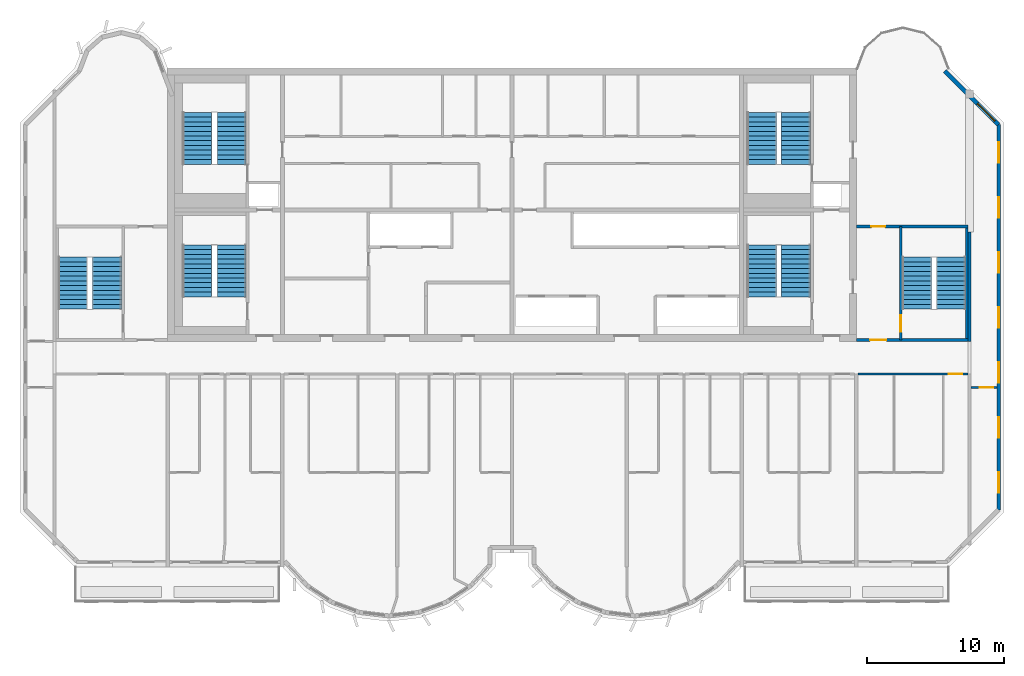
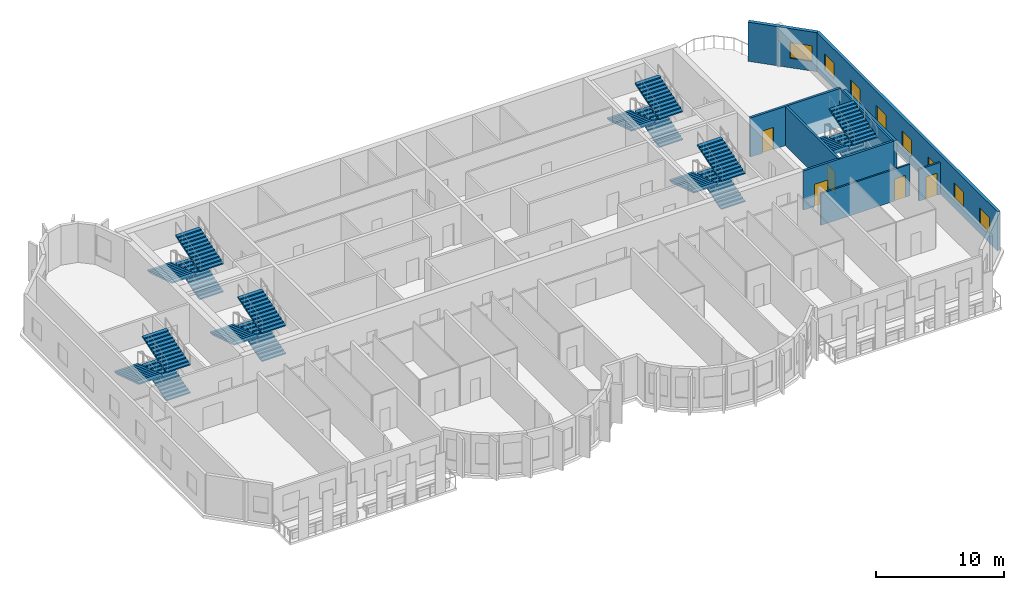
# One storey, part 8 of 11: 18 stair flights, 9 walls, 8 windows, 5 doors, 13 openings, 6 elements without a shape of their own.
"""IFC4 building model written with IfcOpenShell, lengths in metres."""

import ifcopenshell
import ifcopenshell.guid

model = None  # the IFC model being written
_history = None  # IfcOwnerHistory: only IFC2X3 demands one
_inside = {}  # id of a spatial element -> (the spatial element, [elements in it])
_under = {}  # id of a project, library or spatial element -> (it, [spatial elements below it])
_declared = {}  # id of a project -> (the project, [libraries it declares])
_typed = {}  # id of a type object -> (the type object, [elements of that type])
_made_of = {}  # id of a material, layer set ... -> (it, [elements and type objects made of it])


def new_model(schema):
    """Start an empty IFC model of exactly this schema.

    Asked for "IFC4X3", IfcOpenShell would pick the latest addendum, in which some entities
    have other attributes; the version numbers below select the first issue.
    IFC2X3 requires an IfcOwnerHistory on every rooted entity: one is made here for all.
    """
    global model, _history
    if schema == "IFC4X3":
        model = ifcopenshell.file(schema_version=(4, 3, 0, 0))
    else:
        model = ifcopenshell.file(schema=schema)
    _inside.clear()
    _under.clear()
    _declared.clear()
    _typed.clear()
    _made_of.clear()
    _history = None
    if model.schema == "IFC2X3":
        org = make("IfcOrganization", Name="unknown")
        user = make(
            "IfcPersonAndOrganization",
            ThePerson=make("IfcPerson", FamilyName="unknown"),
            TheOrganization=org,
        )
        app = make(
            "IfcApplication",
            ApplicationDeveloper=org,
            Version="unknown",
            ApplicationFullName="unknown",
            ApplicationIdentifier="unknown",
        )
        _history = make(
            "IfcOwnerHistory",
            OwningUser=user,
            OwningApplication=app,
            ChangeAction="ADDED",
            CreationDate=0,
        )
    return model


def make(cls, **values):
    """One entity of the class cls with the attributes given. An attribute that is None is left unset."""
    return model.create_entity(
        cls, **{name: value for name, value in values.items() if value is not None}
    )


def rooted(cls, **values):
    """An entity with a GlobalId (a new one), such as an element, a storey or a relation."""
    return make(cls, GlobalId=ifcopenshell.guid.new(), OwnerHistory=_history, **values)


def si_unit(unit_type, name, prefix=None):
    """IfcSIUnit, for example si_unit("LENGTHUNIT", "METRE", prefix="MILLI")."""
    return make("IfcSIUnit", UnitType=unit_type, Prefix=prefix, Name=name)


def assignment(units):
    """IfcUnitAssignment: the units of a project."""
    return None if units is None else make("IfcUnitAssignment", Units=units)


def point(xyz):
    """IfcCartesianPoint."""
    return None if xyz is None else make("IfcCartesianPoint", Coordinates=xyz)


def direction(xyz):
    """IfcDirection."""
    return None if xyz is None else make("IfcDirection", DirectionRatios=xyz)


def frame(location, z_axis=None, x_axis=None):
    """IfcAxis2Placement3D, a coordinate frame: its origin and axes. An axis left out is left unset."""
    return make(
        "IfcAxis2Placement3D",
        Location=point(location),
        Axis=direction(z_axis),
        RefDirection=direction(x_axis),
    )


def frame_2d(location, x_axis=None):
    """IfcAxis2Placement2D, a coordinate frame in the plane: its origin and x axis."""
    return make(
        "IfcAxis2Placement2D", Location=point(location), RefDirection=direction(x_axis)
    )


def origin():
    """The frame at (0, 0, 0) with its axes left unset."""
    return frame((0.0, 0.0, 0.0))


def place(relative_to, where):
    """IfcLocalPlacement: puts the frame where relative to a parent placement (None: the world)."""
    return make(
        "IfcLocalPlacement", PlacementRelTo=relative_to, RelativePlacement=where
    )


def context(
    kind, dimensions, precision=None, world=None, true_north=None, identifier=None
):
    """IfcGeometricRepresentationContext, for example the 3D "Model" context."""
    return make(
        "IfcGeometricRepresentationContext",
        ContextIdentifier=identifier,
        ContextType=kind,
        CoordinateSpaceDimension=dimensions,
        Precision=precision,
        WorldCoordinateSystem=world,
        TrueNorth=true_north,
    )


def subcontext(parent, identifier, kind, view, scale=None):
    """IfcGeometricRepresentationSubContext, for example "Body" below "Model"."""
    return make(
        "IfcGeometricRepresentationSubContext",
        ContextIdentifier=identifier,
        ContextType=kind,
        ParentContext=parent,
        TargetScale=scale,
        TargetView=view,
    )


def project(units=None, contexts=None):
    """IfcProject with its units and contexts."""
    return rooted(
        "IfcProject",
        Name="project",
        RepresentationContexts=contexts,
        UnitsInContext=assignment(units),
    )


def spatial(cls, under=None, at=None, **own):
    """A site, building, storey or space (cls), placed at a placement, below another one or the project."""
    s = rooted(cls, ObjectPlacement=at, **own)
    if under is not None:
        _under.setdefault(under.id(), (under, []))[1].append(s)
    return s


def polyline(points):
    """IfcPolyline through the points."""
    return make("IfcPolyline", Points=[point(p) for p in points])


def profile(cls, at=None, kind="AREA", **sizes):
    """A parametric profile (cls). Its sizes go by their IFC names, for example OverallWidth=200.0."""
    return make(cls, ProfileType=kind, Position=at, **sizes)


def rectangle(**sizes):
    """IfcRectangleProfileDef."""
    return profile("IfcRectangleProfileDef", **sizes)


def outline(outer, holes=None, kind="AREA"):
    """IfcArbitraryClosedProfileDef: a profile drawn as a closed curve; with holes, ...WithVoids."""
    if holes is None:
        return make("IfcArbitraryClosedProfileDef", ProfileType=kind, OuterCurve=outer)
    return make(
        "IfcArbitraryProfileDefWithVoids",
        ProfileType=kind,
        OuterCurve=outer,
        InnerCurves=holes,
    )


def extrude(swept, where, along, depth):
    """IfcExtrudedAreaSolid: the profile swept, set in the frame where, extruded along a direction by depth."""
    return make(
        "IfcExtrudedAreaSolid",
        SweptArea=swept,
        Position=where,
        ExtrudedDirection=direction(along),
        Depth=depth,
    )


def shape(context_of_items, identifier, shape_type, items):
    """IfcShapeRepresentation: the items that make up one representation, for example the "Body"."""
    return make(
        "IfcShapeRepresentation",
        ContextOfItems=context_of_items,
        RepresentationIdentifier=identifier,
        RepresentationType=shape_type,
        Items=items,
    )


def source(mapping_origin, context_of_items, identifier, shape_type, items):
    """IfcRepresentationMap: a shape defined once, which mapped items show again and again."""
    return make(
        "IfcRepresentationMap",
        MappingOrigin=mapping_origin,
        MappedRepresentation=shape(context_of_items, identifier, shape_type, items),
    )


def transform(
    local_origin,
    x_axis=None,
    y_axis=None,
    z_axis=None,
    scale=None,
    scale2=None,
    scale3=None,
    uniform=True,
):
    """IfcCartesianTransformationOperator3D, or its non-uniform kind. x_axis, y_axis, z_axis: its Axis1, 2, 3."""
    if uniform:
        return make(
            "IfcCartesianTransformationOperator3D",
            Axis1=direction(x_axis),
            Axis2=direction(y_axis),
            LocalOrigin=point(local_origin),
            Scale=scale,
            Axis3=direction(z_axis),
        )
    return make(
        "IfcCartesianTransformationOperator3DnonUniform",
        Axis1=direction(x_axis),
        Axis2=direction(y_axis),
        LocalOrigin=point(local_origin),
        Scale=scale,
        Axis3=direction(z_axis),
        Scale2=scale2,
        Scale3=scale3,
    )


def mapped(mapping_source, mapping_target):
    """IfcMappedItem: shows the shape of a source again, moved by a transform."""
    return make(
        "IfcMappedItem", MappingSource=mapping_source, MappingTarget=mapping_target
    )


def material(Name=None, Category=None):
    """IfcMaterial."""
    return make("IfcMaterial", Name=Name, Category=Category)


def layer(
    of_material, thickness, ventilated=None, Name=None, Category=None, Priority=None
):
    """IfcMaterialLayer: one layer of a wall or slab, of a material (None: an air gap)."""
    return make(
        "IfcMaterialLayer",
        Material=of_material,
        LayerThickness=thickness,
        IsVentilated=ventilated,
        Name=Name,
        Category=Category,
        Priority=Priority,
    )


def layer_set(layers, Name=None):
    """IfcMaterialLayerSet."""
    return make("IfcMaterialLayerSet", MaterialLayers=layers, LayerSetName=Name)


def made_of(thing, what):
    """Note that an element or type object is made of a material, layer set ...; save() writes the relation."""
    if what is not None:
        _made_of.setdefault(what.id(), (what, []))[1].append(thing)
    return thing


def type_object(cls, material=None, **own):
    """A type object (cls), such as IfcWallType, which elements share."""
    return made_of(rooted(cls, **own), material)


def element(
    cls,
    number,
    at=None,
    inside=None,
    cuts=None,
    type_object=None,
    material=None,
    context=None,
    identifier="Body",
    shape_type=None,
    held_by="IfcProductDefinitionShape",
    body=None,
    shapes=None,
    **own,
):
    """One element of the class cls, such as IfcWall. Its Tag is "e" and its number.

    at: its placement. inside: the storey or other place that contains it. cuts: it is an
    opening in that element (IfcRelVoidsElement). A single representation is given by context,
    identifier, shape_type and body (its items); several are given by shapes. held_by: the class
    of the entity that holds the representations. save() writes the other relations.
    """
    e = rooted(cls, Tag="e%d" % number, ObjectPlacement=at, **own)
    if body is not None:
        shapes = [shape(context, identifier, shape_type, body)]
    if shapes is not None:
        e.Representation = make(held_by, Representations=shapes)
    if inside is not None:
        _inside.setdefault(inside.id(), (inside, []))[1].append(e)
    if cuts is not None:
        rooted(
            "IfcRelVoidsElement", RelatingBuildingElement=cuts, RelatedOpeningElement=e
        )
    if type_object is not None:
        _typed.setdefault(type_object.id(), (type_object, []))[1].append(e)
    return made_of(e, material)


def fill(opening, filler):
    """IfcRelFillsElement: the door or window that sits in an opening."""
    return rooted(
        "IfcRelFillsElement",
        RelatingOpeningElement=opening,
        RelatedBuildingElement=filler,
    )


def aggregate(whole, parts):
    """IfcRelAggregates: a whole, such as a stair, and the parts it consists of."""
    return rooted("IfcRelAggregates", RelatingObject=whole, RelatedObjects=parts)


def save(model, path):
    """Write the relations noted so far, then the file.

    IfcRelAggregates (storeys below a building ...), IfcRelContainedInSpatialStructure (elements
    in a storey), IfcRelDefinesByType, IfcRelAssociatesMaterial and IfcRelDeclares: one each for
    every whole, place, type object, material and project.
    """
    for whole, parts in _under.values():
        aggregate(whole, parts)
    for where, things in _inside.values():
        rooted(
            "IfcRelContainedInSpatialStructure",
            RelatedElements=things,
            RelatingStructure=where,
        )
    for kind, things in _typed.values():
        rooted("IfcRelDefinesByType", RelatedObjects=things, RelatingType=kind)
    for what, things in _made_of.values():
        rooted("IfcRelAssociatesMaterial", RelatedObjects=things, RelatingMaterial=what)
    for by, libraries in _declared.values():
        rooted("IfcRelDeclares", RelatingContext=by, RelatedDefinitions=libraries)
    model.write(path)


model = new_model("IFC4")

# Units and contexts
model_context = context("Model", 3, precision=1e-05, world=origin(), true_north=direction((0.0, 1.0)))
body_context = subcontext(model_context, "Body", "Model", "MODEL_VIEW")
ifc_project = project(units=[si_unit("LENGTHUNIT", "METRE"), si_unit("AREAUNIT", "SQUARE_METRE"), si_unit("VOLUMEUNIT", "CUBIC_METRE"), si_unit("PLANEANGLEUNIT", "RADIAN"), si_unit("MASSUNIT", "GRAM", prefix="KILO")], contexts=[model_context])

# Site, building, storey
site_placement = place(None, origin())
site = spatial("IfcSite", under=ifc_project, at=site_placement, CompositionType="ELEMENT")
building_placement = place(site_placement, origin())
building = spatial("IfcBuilding", under=site, at=building_placement, Name="Vanashikhar Sky Hotel", CompositionType="ELEMENT")
storey_placement = place(building_placement, frame((0.0, 0.0, 305.699951171875)))
storey = spatial("IfcBuildingStorey", under=building, at=storey_placement, Name="L73", CompositionType="ELEMENT", Elevation=305.699951171875)

# Wall
ifc_material_1 = material(Name="Concrete M50", Category="concrete")
ifc_layer_1 = layer(ifc_material_1, 0.25)
ifc_layer_set_1 = layer_set([ifc_layer_1], Name="RC shear wall 250 Concrete M50")
wall_type_1 = type_object("IfcWallType", Name="RC shear wall 250 Concrete M50", PredefinedType="SHEAR", material=ifc_layer_set_1)
shared_shape_1 = source(origin(), body_context, "Body", "SweptSolid", [
    extrude(rectangle(XDim=8.0, YDim=0.25, at=frame_2d((4.0, 0.0))), origin(), (0.0, 0.0, 1.0), 3.719970703125),
])
wall_1_placement = place(storey_placement, frame((83.875, 22.0, 0.0), z_axis=(0.0, 0.0, 1.0), x_axis=(0.0, 1.0, 0.0)))
element("IfcWall", 1, at=wall_1_placement, inside=storey, type_object=wall_type_1, Name="CW-L73-XW11-2", PredefinedType="SHEAR", context=body_context, shape_type="MappedRepresentation", body=[
    mapped(shared_shape_1, transform((0.0, 0.0, 0.0), scale=1.0)),
])

# Wall, opening, window
ifc_layer_2 = layer(ifc_material_1, 0.300048828125)
ifc_layer_set_2 = layer_set([ifc_layer_2], Name="Lobe wall 300")
wall_type_2 = type_object("IfcWallType", Name="Lobe wall 300", PredefinedType="SOLIDWALL", material=ifc_layer_set_2)
shared_shape_2 = source(origin(), body_context, "Body", "SweptSolid", [
    extrude(rectangle(XDim=5.576416015625, YDim=0.300048828125, at=frame_2d((2.7880859375, 0.0))), origin(), (0.0, 0.0, 1.0), 3.719970703125),
])
wall_2_placement = place(storey_placement, frame((86.0, 37.834228515625, 0.0), z_axis=(0.0, 0.0, 1.0), x_axis=(-0.707106781187, 0.707106781187, 0.0)))
wall_2 = element("IfcWall", 2, at=wall_2_placement, inside=storey, type_object=wall_type_2, Name="Corner wall", PredefinedType="SOLIDWALL", context=body_context, shape_type="MappedRepresentation", body=[
    mapped(shared_shape_2, transform((0.0, 0.0, 0.0), scale=1.0)),
])
shared_shape_3 = source(origin(), body_context, "Body", "SweptSolid", [
    extrude(rectangle(XDim=1.800048828125, YDim=1.5, at=frame_2d((0.89990234375, 0.75))), frame((0.0, 0.16015625, 0.0), z_axis=(0.0, -1.0, 0.0), x_axis=(1.0, 0.0, 0.0)), (0.0, 0.0, 1.0), 0.320068359375),
])
opening_1_placement = place(wall_2_placement, frame((0.39013671875, 0.0, 0.89990234375)))
opening_1 = element("IfcOpeningElement", 3, at=opening_1_placement, cuts=wall_2, Name="Opening WN-4", PredefinedType="OPENING", context=body_context, shape_type="MappedRepresentation", body=[
    mapped(shared_shape_3, transform((0.0, 0.0, 0.0), scale=1.0)),
])
ifc_material_2 = material(Name="Glass", Category="glass")
window_type_1 = type_object("IfcWindowType", Name="Corner window 1800 x 1500", PartitioningType="SINGLE_PANEL", PredefinedType="WINDOW", material=ifc_material_2)
shared_shape_4 = source(origin(), body_context, "Body", "SweptSolid", [
    extrude(rectangle(XDim=1.800048828125, YDim=1.5, at=frame_2d((0.89990234375, 0.75))), frame((0.0, 0.030029296875, 0.0), z_axis=(0.0, -1.0, 0.0), x_axis=(1.0, 0.0, 0.0)), (0.0, 0.0, 1.0), 0.06005859375),
])
window_1_placement = place(opening_1_placement, origin())
window_1 = element("IfcWindow", 4, at=window_1_placement, inside=storey, type_object=window_type_1, Name="Window WN-4", OverallHeight=1.5, OverallWidth=1.800048828125, PartitioningType="SINGLE_PANEL", PredefinedType="WINDOW", context=body_context, shape_type="MappedRepresentation", body=[
    mapped(shared_shape_4, transform((0.0, 0.0, 0.0), scale=1.0)),
])
fill(opening_1, window_1)

# Wall, openings, windows
ifc_layer_3 = layer(ifc_material_1, 0.25)
ifc_layer_set_3 = layer_set([ifc_layer_3], Name="Rear and end board-marked wall 250")
wall_type_3 = type_object("IfcWallType", Name="Rear and end board-marked wall 250", PredefinedType="SOLIDWALL", material=ifc_layer_set_3)
shared_shape_5 = source(origin(), body_context, "Body", "SweptSolid", [
    extrude(rectangle(XDim=28.189453125, YDim=0.25, at=frame_2d((14.0947265625, 0.0))), origin(), (0.0, 0.0, 1.0), 3.719970703125),
])
wall_3_placement = place(storey_placement, frame((86.02490234375, 9.6552734375, 0.0), z_axis=(0.0, 0.0, 1.0), x_axis=(0.0, 1.0, 0.0)))
wall_3 = element("IfcWall", 5, at=wall_3_placement, inside=storey, type_object=wall_type_3, Name="End board-marked wall", PredefinedType="SOLIDWALL", context=body_context, shape_type="MappedRepresentation", body=[
    mapped(shared_shape_5, transform((0.0, 0.0, 0.0), scale=1.0)),
])
shared_shape_6 = source(origin(), body_context, "Body", "SweptSolid", [
    extrude(rectangle(XDim=1.5, YDim=1.5, at=frame_2d((0.75, 0.75))), frame((0.0, 0.135009765625, 0.0), z_axis=(0.0, -1.0, 0.0), x_axis=(1.0, 0.0, 0.0)), (0.0, 0.0, 1.0), 0.27001953125),
])
opening_2_placement = place(wall_3_placement, frame((1.263427734375, 0.0, 0.89990234375)))
opening_2 = element("IfcOpeningElement", 6, at=opening_2_placement, cuts=wall_3, Name="Opening WN-1", PredefinedType="OPENING", context=body_context, shape_type="MappedRepresentation", body=[
    mapped(shared_shape_6, transform((0.0, 0.0, 0.0), scale=1.0)),
])
opening_3_placement = place(wall_3_placement, frame((5.29052734375, 0.0, 0.89990234375)))
opening_3 = element("IfcOpeningElement", 7, at=opening_3_placement, cuts=wall_3, Name="Opening WN-1", PredefinedType="OPENING", context=body_context, shape_type="MappedRepresentation", body=[
    mapped(shared_shape_6, transform((0.0, 0.0, 0.0), scale=1.0)),
])
opening_4_placement = place(wall_3_placement, frame((9.317626953125, 0.0, 0.89990234375)))
opening_4 = element("IfcOpeningElement", 8, at=opening_4_placement, cuts=wall_3, Name="Opening WN-1", PredefinedType="OPENING", context=body_context, shape_type="MappedRepresentation", body=[
    mapped(shared_shape_6, transform((0.0, 0.0, 0.0), scale=1.0)),
])
opening_5_placement = place(wall_3_placement, frame((13.3447265625, 0.0, 0.89990234375)))
opening_5 = element("IfcOpeningElement", 9, at=opening_5_placement, cuts=wall_3, Name="Opening WN-1", PredefinedType="OPENING", context=body_context, shape_type="MappedRepresentation", body=[
    mapped(shared_shape_6, transform((0.0, 0.0, 0.0), scale=1.0)),
])
opening_6_placement = place(wall_3_placement, frame((17.371826171875, 0.0, 0.89990234375)))
opening_6 = element("IfcOpeningElement", 10, at=opening_6_placement, cuts=wall_3, Name="Opening WN-1", PredefinedType="OPENING", context=body_context, shape_type="MappedRepresentation", body=[
    mapped(shared_shape_6, transform((0.0, 0.0, 0.0), scale=1.0)),
])
opening_7_placement = place(wall_3_placement, frame((21.398681640625, 0.0, 0.89990234375)))
opening_7 = element("IfcOpeningElement", 11, at=opening_7_placement, cuts=wall_3, Name="Opening WN-1", PredefinedType="OPENING", context=body_context, shape_type="MappedRepresentation", body=[
    mapped(shared_shape_6, transform((0.0, 0.0, 0.0), scale=1.0)),
])
opening_8_placement = place(wall_3_placement, frame((25.42578125, 0.0, 0.89990234375)))
opening_8 = element("IfcOpeningElement", 12, at=opening_8_placement, cuts=wall_3, Name="Opening WN-1", PredefinedType="OPENING", context=body_context, shape_type="MappedRepresentation", body=[
    mapped(shared_shape_6, transform((0.0, 0.0, 0.0), scale=1.0)),
])
window_type_2 = type_object("IfcWindowType", Name="Window 1500 x 1500", PartitioningType="SINGLE_PANEL", PredefinedType="WINDOW", material=ifc_material_2)
shared_shape_7 = source(origin(), body_context, "Body", "SweptSolid", [
    extrude(rectangle(XDim=1.5, YDim=1.5, at=frame_2d((0.75, 0.75))), frame((0.0, 0.030029296875, 0.0), z_axis=(0.0, -1.0, 0.0), x_axis=(1.0, 0.0, 0.0)), (0.0, 0.0, 1.0), 0.06005859375),
])
window_2_placement = place(opening_2_placement, origin())
window_2 = element("IfcWindow", 13, at=window_2_placement, inside=storey, type_object=window_type_2, Name="Window WN-1", OverallHeight=1.5, OverallWidth=1.5, PartitioningType="SINGLE_PANEL", PredefinedType="WINDOW", context=body_context, shape_type="MappedRepresentation", body=[
    mapped(shared_shape_7, transform((0.0, 0.0, 0.0), scale=1.0)),
])
fill(opening_2, window_2)
window_3_placement = place(opening_3_placement, origin())
window_3 = element("IfcWindow", 14, at=window_3_placement, inside=storey, type_object=window_type_2, Name="Window WN-1", OverallHeight=1.5, OverallWidth=1.5, PartitioningType="SINGLE_PANEL", PredefinedType="WINDOW", context=body_context, shape_type="MappedRepresentation", body=[
    mapped(shared_shape_7, transform((0.0, 0.0, 0.0), scale=1.0)),
])
fill(opening_3, window_3)
window_4_placement = place(opening_4_placement, origin())
window_4 = element("IfcWindow", 15, at=window_4_placement, inside=storey, type_object=window_type_2, Name="Window WN-1", OverallHeight=1.5, OverallWidth=1.5, PartitioningType="SINGLE_PANEL", PredefinedType="WINDOW", context=body_context, shape_type="MappedRepresentation", body=[
    mapped(shared_shape_7, transform((0.0, 0.0, 0.0), scale=1.0)),
])
fill(opening_4, window_4)
window_5_placement = place(opening_5_placement, origin())
window_5 = element("IfcWindow", 16, at=window_5_placement, inside=storey, type_object=window_type_2, Name="Window WN-1", OverallHeight=1.5, OverallWidth=1.5, PartitioningType="SINGLE_PANEL", PredefinedType="WINDOW", context=body_context, shape_type="MappedRepresentation", body=[
    mapped(shared_shape_7, transform((0.0, 0.0, 0.0), scale=1.0)),
])
fill(opening_5, window_5)
window_6_placement = place(opening_6_placement, origin())
window_6 = element("IfcWindow", 17, at=window_6_placement, inside=storey, type_object=window_type_2, Name="Window WN-1", OverallHeight=1.5, OverallWidth=1.5, PartitioningType="SINGLE_PANEL", PredefinedType="WINDOW", context=body_context, shape_type="MappedRepresentation", body=[
    mapped(shared_shape_7, transform((0.0, 0.0, 0.0), scale=1.0)),
])
fill(opening_6, window_6)
window_7_placement = place(opening_7_placement, origin())
window_7 = element("IfcWindow", 18, at=window_7_placement, inside=storey, type_object=window_type_2, Name="Window WN-1", OverallHeight=1.5, OverallWidth=1.5, PartitioningType="SINGLE_PANEL", PredefinedType="WINDOW", context=body_context, shape_type="MappedRepresentation", body=[
    mapped(shared_shape_7, transform((0.0, 0.0, 0.0), scale=1.0)),
])
fill(opening_7, window_7)
window_8_placement = place(opening_8_placement, origin())
window_8 = element("IfcWindow", 19, at=window_8_placement, inside=storey, type_object=window_type_2, Name="Window WN-1", OverallHeight=1.5, OverallWidth=1.5, PartitioningType="SINGLE_PANEL", PredefinedType="WINDOW", context=body_context, shape_type="MappedRepresentation", body=[
    mapped(shared_shape_7, transform((0.0, 0.0, 0.0), scale=1.0)),
])
fill(opening_8, window_8)

# Wall, opening, door
ifc_layer_4 = layer(ifc_material_1, 0.199951171875)
ifc_layer_set_4 = layer_set([ifc_layer_4], Name="Stair wall 200")
wall_type_4 = type_object("IfcWallType", Name="Stair wall 200", PredefinedType="SOLIDWALL", material=ifc_layer_set_4)
shared_shape_8 = source(origin(), body_context, "Body", "SweptSolid", [
    extrude(rectangle(XDim=8.2998046875, YDim=0.199951171875, at=frame_2d((4.14990234375, 0.0))), origin(), (0.0, 0.0, 1.0), 3.719970703125),
])
wall_4_placement = place(storey_placement, frame((78.85009765625, 22.10009765625, 0.0), z_axis=(0.0, 0.0, 1.0), x_axis=(0.0, 1.0, 0.0)))
wall_4 = element("IfcWall", 20, at=wall_4_placement, inside=storey, type_object=wall_type_4, Name="Stair wall 200", PredefinedType="SOLIDWALL", context=body_context, shape_type="MappedRepresentation", body=[
    mapped(shared_shape_8, transform((0.0, 0.0, 0.0), scale=1.0)),
])
shared_shape_9 = source(origin(), body_context, "Body", "SweptSolid", [
    extrude(rectangle(XDim=1.199951171875, YDim=2.10009765625, at=frame_2d((0.60009765625, 1.050048828125))), frame((0.0, 0.10986328125, 0.0), z_axis=(0.0, -1.0, 0.0), x_axis=(1.0, 0.0, 0.0)), (0.0, 0.0, 1.0), 0.219970703125),
])
opening_9_placement = place(wall_4_placement, frame((0.60009765625, 0.0, 0.0)))
opening_9 = element("IfcOpeningElement", 21, at=opening_9_placement, cuts=wall_4, Name="Opening DC-1", PredefinedType="OPENING", context=body_context, shape_type="MappedRepresentation", body=[
    mapped(shared_shape_9, transform((0.0, 0.0, 0.0), scale=1.0)),
])
ifc_material_3 = material(Name="Steel", Category="steel")
door_type_1 = type_object("IfcDoorType", Name="Stair door 1200 FD120", OperationType="NOTDEFINED", PredefinedType="DOOR", material=ifc_material_3)
shared_shape_10 = source(origin(), body_context, "Body", "SweptSolid", [
    extrude(rectangle(XDim=1.199951171875, YDim=2.10009765625, at=frame_2d((0.60009765625, 1.050048828125))), frame((0.0, 0.02490234375, 0.0), z_axis=(0.0, -1.0, 0.0), x_axis=(1.0, 0.0, 0.0)), (0.0, 0.0, 1.0), 0.050048828125),
])
door_1_placement = place(opening_9_placement, origin())
door_1 = element("IfcDoor", 22, at=door_1_placement, inside=storey, type_object=door_type_1, Name="Stair door 1200 FD120", OperationType="SINGLE_SWING_LEFT", OverallHeight=2.10009765625, OverallWidth=1.199951171875, PredefinedType="DOOR", context=body_context, shape_type="MappedRepresentation", body=[
    mapped(shared_shape_10, transform((0.0, 0.0, 0.0), scale=1.0)),
])
fill(opening_9, door_1)

shared_shape_11 = source(origin(), body_context, "Body", "SweptSolid", [
    extrude(rectangle(XDim=8.14990234375, YDim=0.199951171875, at=frame_2d((4.074951171875, 0.0))), origin(), (0.0, 0.0, 1.0), 3.719970703125),
])
wall_5_placement = place(storey_placement, frame((83.75, 22.10009765625, 0.0), z_axis=(0.0, 0.0, 1.0), x_axis=(-1.0, 0.0, 0.0)))
wall_5 = element("IfcWall", 23, at=wall_5_placement, inside=storey, type_object=wall_type_4, Name="Stair wall 200", PredefinedType="SOLIDWALL", context=body_context, shape_type="MappedRepresentation", body=[
    mapped(shared_shape_11, transform((0.0, 0.0, 0.0), scale=1.0)),
])
opening_10_placement = place(wall_5_placement, frame((5.949951171875, 0.0, 0.0)))
opening_10 = element("IfcOpeningElement", 24, at=opening_10_placement, cuts=wall_5, Name="Opening DC-2", PredefinedType="OPENING", context=body_context, shape_type="MappedRepresentation", body=[
    mapped(shared_shape_9, transform((0.0, 0.0, 0.0), scale=1.0)),
])
door_type_2 = type_object("IfcDoorType", Name="Firefighting lobby door 1200 FD120", OperationType="NOTDEFINED", PredefinedType="DOOR", material=ifc_material_3)
door_2_placement = place(opening_10_placement, origin())
door_2 = element("IfcDoor", 25, at=door_2_placement, inside=storey, type_object=door_type_2, Name="Firefighting lobby door 1200 FD120", OperationType="SINGLE_SWING_RIGHT", OverallHeight=2.10009765625, OverallWidth=1.199951171875, PredefinedType="DOOR", context=body_context, shape_type="MappedRepresentation", body=[
    mapped(shared_shape_10, transform((0.0, 0.0, 0.0), scale=1.0)),
])
fill(opening_10, door_2)

wall_6_placement = place(storey_placement, frame((83.75, 30.39990234375, 0.0), z_axis=(0.0, 0.0, 1.0), x_axis=(-1.0, 0.0, 0.0)))
wall_6 = element("IfcWall", 26, at=wall_6_placement, inside=storey, type_object=wall_type_4, Name="Stair wall 200", PredefinedType="SOLIDWALL", context=body_context, shape_type="MappedRepresentation", body=[
    mapped(shared_shape_11, transform((0.0, 0.0, 0.0), scale=1.0)),
])
shared_shape_12 = source(origin(), body_context, "Body", "SweptSolid", [
    extrude(rectangle(XDim=1.0, YDim=2.10009765625, at=frame_2d((0.5, 1.050048828125))), frame((0.0, 0.10986328125, 0.0), z_axis=(0.0, -1.0, 0.0), x_axis=(1.0, 0.0, 0.0)), (0.0, 0.0, 1.0), 0.219970703125),
])
opening_11_placement = place(wall_6_placement, frame((6.050048828125, 0.0, 0.0)))
opening_11 = element("IfcOpeningElement", 27, at=opening_11_placement, cuts=wall_6, Name="Opening DC-6", PredefinedType="OPENING", context=body_context, shape_type="MappedRepresentation", body=[
    mapped(shared_shape_12, transform((0.0, 0.0, 0.0), scale=1.0)),
])
door_type_3 = type_object("IfcDoorType", Name="Pocket door 1000 FD60", OperationType="NOTDEFINED", PredefinedType="DOOR", material=ifc_material_3)
shared_shape_13 = source(origin(), body_context, "Body", "SweptSolid", [
    extrude(rectangle(XDim=1.0, YDim=2.10009765625, at=frame_2d((0.5, 1.050048828125))), frame((0.0, 0.02490234375, 0.0), z_axis=(0.0, -1.0, 0.0), x_axis=(1.0, 0.0, 0.0)), (0.0, 0.0, 1.0), 0.050048828125),
])
door_3_placement = place(opening_11_placement, origin())
door_3 = element("IfcDoor", 28, at=door_3_placement, inside=storey, type_object=door_type_3, Name="Pocket door 1000 FD60", OperationType="SINGLE_SWING_RIGHT", OverallHeight=2.10009765625, OverallWidth=1.0, PredefinedType="DOOR", context=body_context, shape_type="MappedRepresentation", body=[
    mapped(shared_shape_13, transform((0.0, 0.0, 0.0), scale=1.0)),
])
fill(opening_11, door_3)

# Wall
ifc_layer_5 = layer(ifc_material_1, 0.14990234375)
ifc_layer_set_5 = layer_set([ifc_layer_5], Name="Stair infill wall 150")
wall_type_5 = type_object("IfcWallType", Name="Stair infill wall 150", PredefinedType="SOLIDWALL", material=ifc_layer_set_5)
shared_shape_14 = source(origin(), body_context, "Body", "SweptSolid", [
    extrude(rectangle(XDim=8.10009765625, YDim=0.14990234375, at=frame_2d((4.050048828125, 0.0))), origin(), (0.0, 0.0, 1.0), 3.719970703125),
])
wall_7_placement = place(storey_placement, frame((83.675048828125, 22.199951171875, 0.0), z_axis=(0.0, 0.0, 1.0), x_axis=(0.0, 1.0, 0.0)))
element("IfcWall", 29, at=wall_7_placement, inside=storey, type_object=wall_type_5, Name="Stair infill wall 150", PredefinedType="SOLIDWALL", context=body_context, shape_type="MappedRepresentation", body=[
    mapped(shared_shape_14, transform((0.0, 0.0, 0.0), scale=1.0)),
])

# Wall, opening, door
ifc_material_4 = material(Name="Gypsum plasterboard partition")
ifc_layer_6 = layer(ifc_material_4, 0.14990234375)
ifc_layer_set_6 = layer_set([ifc_layer_6], Name="Corridor and demising partition 150")
wall_type_6 = type_object("IfcWallType", Name="Corridor and demising partition 150", PredefinedType="PARTITIONING", material=ifc_layer_set_6)
shared_shape_15 = source(origin(), body_context, "Body", "SweptSolid", [
    extrude(rectangle(XDim=8.02490234375, YDim=0.14990234375, at=frame_2d((4.012451171875, 0.0))), origin(), (0.0, 0.0, 1.0), 3.02001953125),
])
wall_8_placement = place(storey_placement, frame((75.72509765625, 19.60009765625, 0.0), z_axis=(0.0, 0.0, 1.0), x_axis=(1.0, 0.0, 0.0)))
wall_8 = element("IfcWall", 30, at=wall_8_placement, inside=storey, type_object=wall_type_6, Name="W-L73-PW040", PredefinedType="PARTITIONING", context=body_context, shape_type="MappedRepresentation", body=[
    mapped(shared_shape_15, transform((0.0, 0.0, 0.0), scale=1.0)),
])
shared_shape_16 = source(origin(), body_context, "Body", "SweptSolid", [
    extrude(rectangle(XDim=1.0, YDim=2.10009765625, at=frame_2d((0.5, 1.050048828125))), frame((0.0, 0.0849609375, 0.0), z_axis=(0.0, -1.0, 0.0), x_axis=(1.0, 0.0, 0.0)), (0.0, 0.0, 1.0), 0.169921875),
])
opening_12_placement = place(wall_8_placement, frame((6.625, 0.0, 0.0)))
opening_12 = element("IfcOpeningElement", 31, at=opening_12_placement, cuts=wall_8, Name="Opening D-01", PredefinedType="OPENING", context=body_context, shape_type="MappedRepresentation", body=[
    mapped(shared_shape_16, transform((0.0, 0.0, 0.0), scale=1.0)),
])
ifc_material_5 = material(Name="Timber fire door", Category="wood")
door_type_4 = type_object("IfcDoorType", Name="Guest entry door 1000 FD30S", OperationType="NOTDEFINED", PredefinedType="DOOR", material=ifc_material_5)
door_4_placement = place(opening_12_placement, origin())
door_4 = element("IfcDoor", 32, at=door_4_placement, inside=storey, type_object=door_type_4, Name="D-L73-024", OperationType="SINGLE_SWING_RIGHT", OverallHeight=2.10009765625, OverallWidth=1.0, PredefinedType="DOOR", context=body_context, shape_type="MappedRepresentation", body=[
    mapped(shared_shape_13, transform((0.0, 0.0, 0.0), scale=1.0)),
])
fill(opening_12, door_4)

shared_shape_17 = source(origin(), body_context, "Body", "SweptSolid", [
    extrude(rectangle(XDim=1.89990234375, YDim=0.14990234375, at=frame_2d((0.949951171875, 0.0))), origin(), (0.0, 0.0, 1.0), 3.02001953125),
])
wall_9_placement = place(storey_placement, frame((84.0, 18.6279296875, 0.0), z_axis=(0.0, 0.0, 1.0), x_axis=(1.0, 0.0, 0.0)))
wall_9 = element("IfcWall", 33, at=wall_9_placement, inside=storey, type_object=wall_type_6, Name="W-L73-PW045", PredefinedType="PARTITIONING", context=body_context, shape_type="MappedRepresentation", body=[
    mapped(shared_shape_17, transform((0.0, 0.0, 0.0), scale=1.0)),
])
opening_13_placement = place(wall_9_placement, frame((0.625, 0.0, 0.0)))
opening_13 = element("IfcOpeningElement", 34, at=opening_13_placement, cuts=wall_9, Name="Opening D-01", PredefinedType="OPENING", context=body_context, shape_type="MappedRepresentation", body=[
    mapped(shared_shape_16, transform((0.0, 0.0, 0.0), scale=1.0)),
])
door_5_placement = place(opening_13_placement, origin())
door_5 = element("IfcDoor", 35, at=door_5_placement, inside=storey, type_object=door_type_4, Name="D-L73-027", OperationType="SINGLE_SWING_RIGHT", OverallHeight=2.10009765625, OverallWidth=1.0, PredefinedType="DOOR", context=body_context, shape_type="MappedRepresentation", body=[
    mapped(shared_shape_13, transform((0.0, 0.0, 0.0), scale=1.0)),
])
fill(opening_13, door_5)

# Stair, stair flights
ifc_material_6 = material(Name="Concrete M40", Category="concrete")
stair_type = type_object("IfcStairType", Name="Exit stair 2150", PredefinedType="DOUBLE_RETURN_STAIR", material=ifc_material_6)
stair_1_placement = place(storey_placement, origin())
stair_1 = element("IfcStair", 36, at=stair_1_placement, inside=storey, type_object=stair_type, Name="L73 Exit stair 1", PredefinedType="DOUBLE_RETURN_STAIR")
stair_flight_type = type_object("IfcStairFlightType", Name="Stair flight 2150", PredefinedType="STRAIGHT", material=ifc_material_6)
shared_shape_18 = source(origin(), body_context, "Body", "SweptSolid", [
    extrude(outline(polyline([(0.0, 0.0), (0.0, 0.111083984375), (0.345458984375, 0.111083984375), (0.345458984375, 0.22216796875), (0.69091796875, 0.22216796875), (0.69091796875, 0.333251953125), (1.036376953125, 0.333251953125), (1.036376953125, 0.4443359375), (1.3818359375, 0.4443359375), (1.3818359375, 0.5556640625), (1.727294921875, 0.5556640625), (1.727294921875, 0.666748046875), (2.07275390625, 0.666748046875), (2.07275390625, 0.77783203125), (2.418212890625, 0.77783203125), (2.418212890625, 0.888916015625), (2.763671875, 0.888916015625), (2.763671875, 1.0), (3.109130859375, 1.0), (3.109130859375, 1.111083984375), (3.45458984375, 1.111083984375), (3.45458984375, 1.22216796875), (3.800048828125, 1.22216796875), (3.800048828125, 1.333251953125), (3.800048828125, 1.095947265625), (0.392333984375, 0.0), (0.0, 0.0)])), frame((0.0, 1.074951171875, 0.0), z_axis=(0.0, -1.0, 0.0), x_axis=(1.0, 0.0, 0.0)), (0.0, 0.0, 1.0), 2.14990234375),
])
stair_flight_1_placement = place(storey_placement, frame((29.875, 25.25, 0.0), z_axis=(0.0, 0.0, 1.0), x_axis=(0.0, 1.0, 0.0)))
stair_flight_1 = element("IfcStairFlight", 37, at=stair_flight_1_placement, type_object=stair_flight_type, Name="ST-C1 flight 1", NumberOfRisers=12, NumberOfTreads=11, PredefinedType="STRAIGHT", RiserHeight=0.111111111, TreadLength=0.345454545, context=body_context, shape_type="MappedRepresentation", body=[
    mapped(shared_shape_18, transform((0.0, 0.0, 0.0), scale=1.0)),
])
stair_flight_2_placement = place(storey_placement, frame((27.375, 29.050048828125, 1.33349609375), z_axis=(0.0, 0.0, 1.0), x_axis=(0.0, -1.0, 0.0)))
stair_flight_2 = element("IfcStairFlight", 38, at=stair_flight_2_placement, type_object=stair_flight_type, Name="ST-C1 flight 2", NumberOfRisers=12, NumberOfTreads=11, PredefinedType="STRAIGHT", RiserHeight=0.111111111, TreadLength=0.345454545, context=body_context, shape_type="MappedRepresentation", body=[
    mapped(shared_shape_18, transform((0.0, 0.0, 0.0), scale=1.0)),
])
stair_flight_3_placement = place(storey_placement, frame((29.875, 25.25, 2.666748046875), z_axis=(0.0, 0.0, 1.0), x_axis=(0.0, 1.0, 0.0)))
stair_flight_3 = element("IfcStairFlight", 39, at=stair_flight_3_placement, type_object=stair_flight_type, Name="ST-C1 flight 3", NumberOfRisers=12, NumberOfTreads=11, PredefinedType="STRAIGHT", RiserHeight=0.111111111, TreadLength=0.345454545, context=body_context, shape_type="MappedRepresentation", body=[
    mapped(shared_shape_18, transform((0.0, 0.0, 0.0), scale=1.0)),
])
aggregate(stair_1, [stair_flight_1, stair_flight_2, stair_flight_3])

stair_2_placement = place(storey_placement, origin())
stair_2 = element("IfcStair", 40, at=stair_2_placement, inside=storey, type_object=stair_type, Name="L73 Exit stair 2", PredefinedType="DOUBLE_RETURN_STAIR")
stair_flight_4_placement = place(storey_placement, frame((71.175048828125, 25.25, 0.0), z_axis=(0.0, 0.0, 1.0), x_axis=(0.0, 1.0, 0.0)))
stair_flight_4 = element("IfcStairFlight", 41, at=stair_flight_4_placement, type_object=stair_flight_type, Name="ST-C2 flight 1", NumberOfRisers=12, NumberOfTreads=11, PredefinedType="STRAIGHT", RiserHeight=0.111111111, TreadLength=0.345454545, context=body_context, shape_type="MappedRepresentation", body=[
    mapped(shared_shape_18, transform((0.0, 0.0, 0.0), scale=1.0)),
])
stair_flight_5_placement = place(storey_placement, frame((68.675048828125, 29.050048828125, 1.33349609375), z_axis=(0.0, 0.0, 1.0), x_axis=(0.0, -1.0, 0.0)))
stair_flight_5 = element("IfcStairFlight", 42, at=stair_flight_5_placement, type_object=stair_flight_type, Name="ST-C2 flight 2", NumberOfRisers=12, NumberOfTreads=11, PredefinedType="STRAIGHT", RiserHeight=0.111111111, TreadLength=0.345454545, context=body_context, shape_type="MappedRepresentation", body=[
    mapped(shared_shape_18, transform((0.0, 0.0, 0.0), scale=1.0)),
])
stair_flight_6_placement = place(storey_placement, frame((71.175048828125, 25.25, 2.666748046875), z_axis=(0.0, 0.0, 1.0), x_axis=(0.0, 1.0, 0.0)))
stair_flight_6 = element("IfcStairFlight", 43, at=stair_flight_6_placement, type_object=stair_flight_type, Name="ST-C2 flight 3", NumberOfRisers=12, NumberOfTreads=11, PredefinedType="STRAIGHT", RiserHeight=0.111111111, TreadLength=0.345454545, context=body_context, shape_type="MappedRepresentation", body=[
    mapped(shared_shape_18, transform((0.0, 0.0, 0.0), scale=1.0)),
])
aggregate(stair_2, [stair_flight_4, stair_flight_5, stair_flight_6])

stair_3_placement = place(storey_placement, origin())
stair_3 = element("IfcStair", 44, at=stair_3_placement, inside=storey, type_object=stair_type, Name="L73 Exit stair 3", PredefinedType="DOUBLE_RETURN_STAIR")
stair_flight_7_placement = place(storey_placement, frame((20.77490234375, 24.35009765625, 0.0), z_axis=(0.0, 0.0, 1.0), x_axis=(0.0, 1.0, 0.0)))
stair_flight_7 = element("IfcStairFlight", 45, at=stair_flight_7_placement, type_object=stair_flight_type, Name="ST-W flight 1", NumberOfRisers=12, NumberOfTreads=11, PredefinedType="STRAIGHT", RiserHeight=0.111111111, TreadLength=0.345454545, context=body_context, shape_type="MappedRepresentation", body=[
    mapped(shared_shape_18, transform((0.0, 0.0, 0.0), scale=1.0)),
])
stair_flight_8_placement = place(storey_placement, frame((18.27490234375, 28.14990234375, 1.33349609375), z_axis=(0.0, 0.0, 1.0), x_axis=(0.0, -1.0, 0.0)))
stair_flight_8 = element("IfcStairFlight", 46, at=stair_flight_8_placement, type_object=stair_flight_type, Name="ST-W flight 2", NumberOfRisers=12, NumberOfTreads=11, PredefinedType="STRAIGHT", RiserHeight=0.111111111, TreadLength=0.345454545, context=body_context, shape_type="MappedRepresentation", body=[
    mapped(shared_shape_18, transform((0.0, 0.0, 0.0), scale=1.0)),
])
stair_flight_9_placement = place(storey_placement, frame((20.77490234375, 24.35009765625, 2.666748046875), z_axis=(0.0, 0.0, 1.0), x_axis=(0.0, 1.0, 0.0)))
stair_flight_9 = element("IfcStairFlight", 47, at=stair_flight_9_placement, type_object=stair_flight_type, Name="ST-W flight 3", NumberOfRisers=12, NumberOfTreads=11, PredefinedType="STRAIGHT", RiserHeight=0.111111111, TreadLength=0.345454545, context=body_context, shape_type="MappedRepresentation", body=[
    mapped(shared_shape_18, transform((0.0, 0.0, 0.0), scale=1.0)),
])
aggregate(stair_3, [stair_flight_7, stair_flight_8, stair_flight_9])

stair_4_placement = place(storey_placement, origin())
stair_4 = element("IfcStair", 48, at=stair_4_placement, inside=storey, type_object=stair_type, Name="L73 Exit stair 4", PredefinedType="DOUBLE_RETURN_STAIR")
stair_flight_10_placement = place(storey_placement, frame((82.52490234375, 24.35009765625, 0.0), z_axis=(0.0, 0.0, 1.0), x_axis=(0.0, 1.0, 0.0)))
stair_flight_10 = element("IfcStairFlight", 49, at=stair_flight_10_placement, type_object=stair_flight_type, Name="ST-E flight 1", NumberOfRisers=12, NumberOfTreads=11, PredefinedType="STRAIGHT", RiserHeight=0.111111111, TreadLength=0.345454545, context=body_context, shape_type="MappedRepresentation", body=[
    mapped(shared_shape_18, transform((0.0, 0.0, 0.0), scale=1.0)),
])
stair_flight_11_placement = place(storey_placement, frame((80.02490234375, 28.14990234375, 1.33349609375), z_axis=(0.0, 0.0, 1.0), x_axis=(0.0, -1.0, 0.0)))
stair_flight_11 = element("IfcStairFlight", 50, at=stair_flight_11_placement, type_object=stair_flight_type, Name="ST-E flight 2", NumberOfRisers=12, NumberOfTreads=11, PredefinedType="STRAIGHT", RiserHeight=0.111111111, TreadLength=0.345454545, context=body_context, shape_type="MappedRepresentation", body=[
    mapped(shared_shape_18, transform((0.0, 0.0, 0.0), scale=1.0)),
])
stair_flight_12_placement = place(storey_placement, frame((82.52490234375, 24.35009765625, 2.666748046875), z_axis=(0.0, 0.0, 1.0), x_axis=(0.0, 1.0, 0.0)))
stair_flight_12 = element("IfcStairFlight", 51, at=stair_flight_12_placement, type_object=stair_flight_type, Name="ST-E flight 3", NumberOfRisers=12, NumberOfTreads=11, PredefinedType="STRAIGHT", RiserHeight=0.111111111, TreadLength=0.345454545, context=body_context, shape_type="MappedRepresentation", body=[
    mapped(shared_shape_18, transform((0.0, 0.0, 0.0), scale=1.0)),
])
aggregate(stair_4, [stair_flight_10, stair_flight_11, stair_flight_12])

stair_5_placement = place(storey_placement, origin())
stair_5 = element("IfcStair", 52, at=stair_5_placement, inside=storey, type_object=stair_type, Name="L73 Exit stair 5", PredefinedType="DOUBLE_RETURN_STAIR")
stair_flight_13_placement = place(storey_placement, frame((29.875, 34.949951171875, 0.0), z_axis=(0.0, 0.0, 1.0), x_axis=(0.0, 1.0, 0.0)))
stair_flight_13 = element("IfcStairFlight", 53, at=stair_flight_13_placement, type_object=stair_flight_type, Name="ST-C3 flight 1", NumberOfRisers=12, NumberOfTreads=11, PredefinedType="STRAIGHT", RiserHeight=0.111111111, TreadLength=0.345454545, context=body_context, shape_type="MappedRepresentation", body=[
    mapped(shared_shape_18, transform((0.0, 0.0, 0.0), scale=1.0)),
])
stair_flight_14_placement = place(storey_placement, frame((27.375, 38.75, 1.33349609375), z_axis=(0.0, 0.0, 1.0), x_axis=(0.0, -1.0, 0.0)))
stair_flight_14 = element("IfcStairFlight", 54, at=stair_flight_14_placement, type_object=stair_flight_type, Name="ST-C3 flight 2", NumberOfRisers=12, NumberOfTreads=11, PredefinedType="STRAIGHT", RiserHeight=0.111111111, TreadLength=0.345454545, context=body_context, shape_type="MappedRepresentation", body=[
    mapped(shared_shape_18, transform((0.0, 0.0, 0.0), scale=1.0)),
])
stair_flight_15_placement = place(storey_placement, frame((29.875, 34.949951171875, 2.666748046875), z_axis=(0.0, 0.0, 1.0), x_axis=(0.0, 1.0, 0.0)))
stair_flight_15 = element("IfcStairFlight", 55, at=stair_flight_15_placement, type_object=stair_flight_type, Name="ST-C3 flight 3", NumberOfRisers=12, NumberOfTreads=11, PredefinedType="STRAIGHT", RiserHeight=0.111111111, TreadLength=0.345454545, context=body_context, shape_type="MappedRepresentation", body=[
    mapped(shared_shape_18, transform((0.0, 0.0, 0.0), scale=1.0)),
])
aggregate(stair_5, [stair_flight_13, stair_flight_14, stair_flight_15])

stair_6_placement = place(storey_placement, origin())
stair_6 = element("IfcStair", 56, at=stair_6_placement, inside=storey, type_object=stair_type, Name="L73 Exit stair 6", PredefinedType="DOUBLE_RETURN_STAIR")
stair_flight_16_placement = place(storey_placement, frame((71.175048828125, 34.949951171875, 0.0), z_axis=(0.0, 0.0, 1.0), x_axis=(0.0, 1.0, 0.0)))
stair_flight_16 = element("IfcStairFlight", 57, at=stair_flight_16_placement, type_object=stair_flight_type, Name="ST-C4 flight 1", NumberOfRisers=12, NumberOfTreads=11, PredefinedType="STRAIGHT", RiserHeight=0.111111111, TreadLength=0.345454545, context=body_context, shape_type="MappedRepresentation", body=[
    mapped(shared_shape_18, transform((0.0, 0.0, 0.0), scale=1.0)),
])
stair_flight_17_placement = place(storey_placement, frame((68.675048828125, 38.75, 1.33349609375), z_axis=(0.0, 0.0, 1.0), x_axis=(0.0, -1.0, 0.0)))
stair_flight_17 = element("IfcStairFlight", 58, at=stair_flight_17_placement, type_object=stair_flight_type, Name="ST-C4 flight 2", NumberOfRisers=12, NumberOfTreads=11, PredefinedType="STRAIGHT", RiserHeight=0.111111111, TreadLength=0.345454545, context=body_context, shape_type="MappedRepresentation", body=[
    mapped(shared_shape_18, transform((0.0, 0.0, 0.0), scale=1.0)),
])
stair_flight_18_placement = place(storey_placement, frame((71.175048828125, 34.949951171875, 2.666748046875), z_axis=(0.0, 0.0, 1.0), x_axis=(0.0, 1.0, 0.0)))
stair_flight_18 = element("IfcStairFlight", 59, at=stair_flight_18_placement, type_object=stair_flight_type, Name="ST-C4 flight 3", NumberOfRisers=12, NumberOfTreads=11, PredefinedType="STRAIGHT", RiserHeight=0.111111111, TreadLength=0.345454545, context=body_context, shape_type="MappedRepresentation", body=[
    mapped(shared_shape_18, transform((0.0, 0.0, 0.0), scale=1.0)),
])
aggregate(stair_6, [stair_flight_16, stair_flight_17, stair_flight_18])

save(model, "model.ifc")
